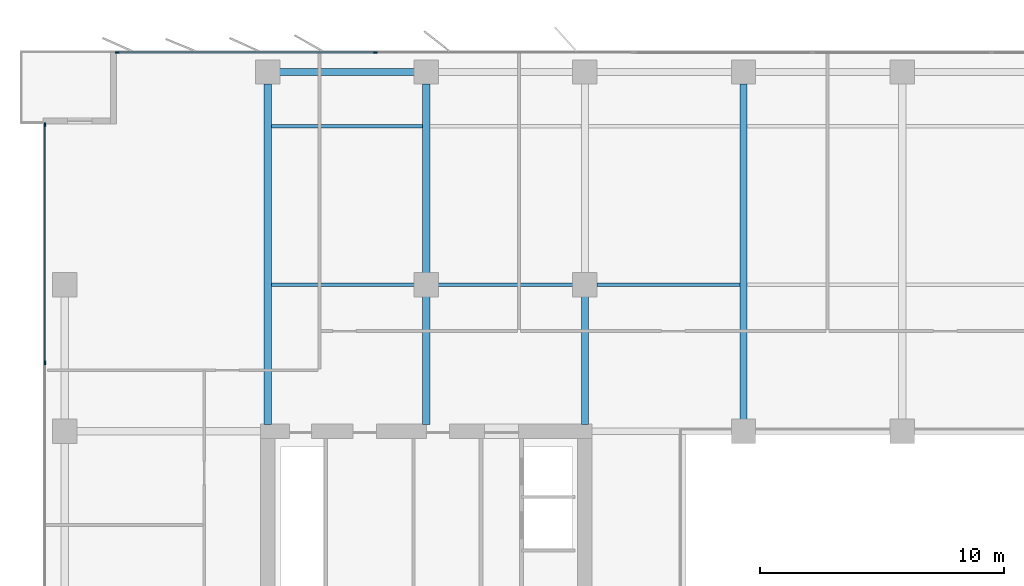
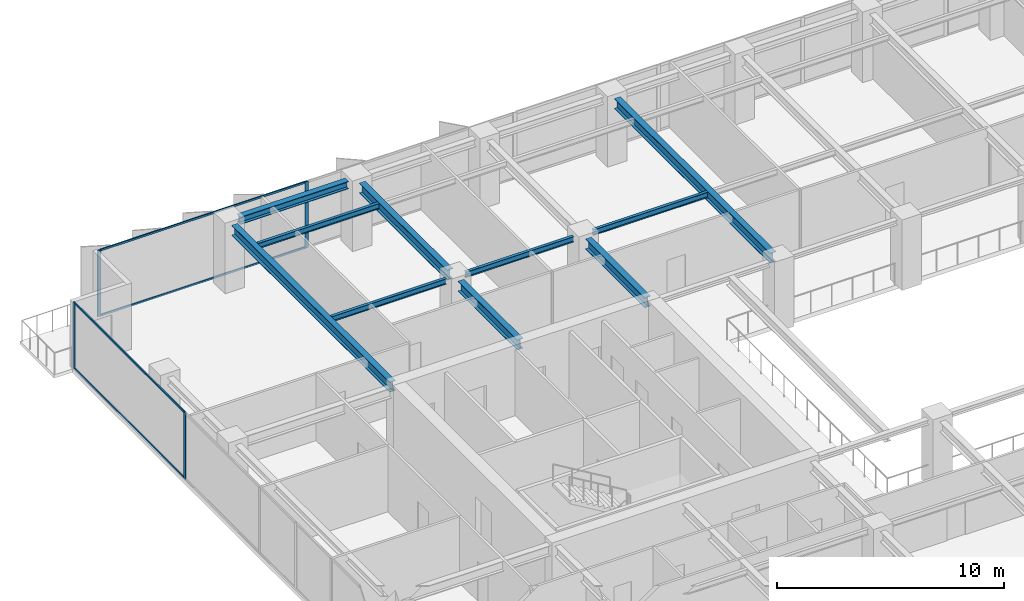
# One storey, part 8 of 22: 10 beams, 8 members, 2 elements without a shape of their own.
"""IFC4 building model written with IfcOpenShell, lengths in metres."""

from ifc_helpers import new_model, si_unit, direction, frame, origin, origin_2d, place, context, subcontext, project, spatial, rectangle, i_section, extrude, material, layer, layer_set, material_profile, profile_set, type_object, element, aggregate, save


model = new_model("IFC4")

# Units and contexts
model_context = context("Model", 3, precision=1e-05, world=origin(), true_north=direction((0.0, 1.0)))
body_context = subcontext(model_context, "Body", "Model", "MODEL_VIEW")
ifc_project = project(units=[si_unit("LENGTHUNIT", "METRE"), si_unit("AREAUNIT", "SQUARE_METRE"), si_unit("VOLUMEUNIT", "CUBIC_METRE"), si_unit("PLANEANGLEUNIT", "RADIAN"), si_unit("MASSUNIT", "GRAM", prefix="KILO")], contexts=[model_context])

# Site, building, storey
site_placement = place(None, origin())
site = spatial("IfcSite", under=ifc_project, at=site_placement, CompositionType="ELEMENT")
building_placement = place(site_placement, origin())
building = spatial("IfcBuilding", under=site, at=building_placement, Name="Putna Gate Headquarters", CompositionType="ELEMENT")
storey_placement = place(building_placement, frame((0.0, 0.0, 151.800048828125)))
storey = spatial("IfcBuildingStorey", under=building, at=storey_placement, Name="L37", CompositionType="ELEMENT", Elevation=151.800048828125)

# Beams
ifc_material_1 = material(Name="Steel S355J2", Category="steel")
ifc_material_profile_1 = material_profile(ifc_material_1, i_section(OverallWidth=0.300048828125, OverallDepth=0.550048828125, WebThickness=0.014892578125, FlangeThickness=0.029052734375, at=origin_2d()), Name="Steel S355J2")
ifc_profile_set_1 = profile_set([ifc_material_profile_1], Name="Steel S355J2")
beam_type_1 = type_object("IfcBeamType", Name="BM-GIRD-Z3-HEB550", PredefinedType="USERDEFINED", material=ifc_profile_set_1)
beam_1_placement = place(storey_placement, frame((13.0, 33.284912109375, 3.296875), z_axis=(0.0, 1.0, 0.0), x_axis=(-1.0, 0.0, 0.0)))
element("IfcBeam", 1, at=beam_1_placement, inside=storey, type_object=beam_type_1, Name="L37 North Primary Girder X13", ObjectType="GIRDER", PredefinedType="USERDEFINED", context=body_context, shape_type="SweptSolid", body=[
    extrude(i_section(OverallWidth=0.300048828125, OverallDepth=0.550048828125, WebThickness=0.014892578125, FlangeThickness=0.029052734375, at=origin_2d()), origin(), (0.0, 0.0, 1.0), 13.947021484375),
])
beam_2_placement = place(storey_placement, frame((19.5, 33.284912109375, 3.296875), z_axis=(0.0, 1.0, 0.0), x_axis=(-1.0, 0.0, 0.0)))
element("IfcBeam", 2, at=beam_2_placement, inside=storey, type_object=beam_type_1, Name="L37 North Primary Girder X19-1", ObjectType="GIRDER", PredefinedType="USERDEFINED", context=body_context, shape_type="SweptSolid", body=[
    extrude(i_section(OverallWidth=0.300048828125, OverallDepth=0.550048828125, WebThickness=0.014892578125, FlangeThickness=0.029052734375, at=origin_2d()), origin(), (0.0, 0.0, 1.0), 5.22705078125),
])
beam_3_placement = place(storey_placement, frame((19.5, 39.488037109375, 3.296875), z_axis=(0.0, 1.0, 0.0), x_axis=(-1.0, 0.0, 0.0)))
element("IfcBeam", 3, at=beam_3_placement, inside=storey, type_object=beam_type_1, Name="L37 North Primary Girder X19-2", ObjectType="GIRDER", PredefinedType="USERDEFINED", context=body_context, shape_type="SweptSolid", body=[
    extrude(i_section(OverallWidth=0.300048828125, OverallDepth=0.550048828125, WebThickness=0.014892578125, FlangeThickness=0.029052734375, at=origin_2d()), origin(), (0.0, 0.0, 1.0), 7.743896484375),
])
beam_4_placement = place(storey_placement, frame((26.0, 33.284912109375, 3.296875), z_axis=(0.0, 1.0, 0.0), x_axis=(-1.0, 0.0, 0.0)))
element("IfcBeam", 4, at=beam_4_placement, inside=storey, type_object=beam_type_1, Name="L37 North Primary Girder X26-1", ObjectType="GIRDER", PredefinedType="USERDEFINED", context=body_context, shape_type="SweptSolid", body=[
    extrude(i_section(OverallWidth=0.300048828125, OverallDepth=0.550048828125, WebThickness=0.014892578125, FlangeThickness=0.029052734375, at=origin_2d()), origin(), (0.0, 0.0, 1.0), 5.22705078125),
])
beam_5_placement = place(storey_placement, frame((32.5, 33.488037109375, 3.296875), z_axis=(0.0, 1.0, 0.0), x_axis=(-1.0, 0.0, 0.0)))
element("IfcBeam", 5, at=beam_5_placement, inside=storey, type_object=beam_type_1, Name="L37 North Primary Girder X32", ObjectType="GIRDER", PredefinedType="USERDEFINED", context=body_context, shape_type="SweptSolid", body=[
    extrude(i_section(OverallWidth=0.300048828125, OverallDepth=0.550048828125, WebThickness=0.014892578125, FlangeThickness=0.029052734375, at=origin_2d()), origin(), (0.0, 0.0, 1.0), 13.743896484375),
])
ifc_material_profile_2 = material_profile(ifc_material_1, i_section(OverallWidth=0.14990234375, OverallDepth=0.300048828125, WebThickness=0.007080078125, FlangeThickness=0.0107421875, at=origin_2d()), Name="Steel S355J2")
ifc_profile_set_2 = profile_set([ifc_material_profile_2], Name="Steel S355J2")
beam_type_2 = type_object("IfcBeamType", Name="BM-SEC-Z3-IPE300", PredefinedType="JOIST", material=ifc_profile_set_2)
beam_6_placement = place(storey_placement, frame((13.154052734375, 39.0, 3.421875), z_axis=(1.0, 0.0, 0.0), x_axis=(0.0, 1.0, 0.0)))
element("IfcBeam", 6, at=beam_6_placement, inside=storey, type_object=beam_type_2, Name="L37 North Secondary Beam 1", PredefinedType="JOIST", context=body_context, shape_type="SweptSolid", body=[
    extrude(i_section(OverallWidth=0.14990234375, OverallDepth=0.300048828125, WebThickness=0.007080078125, FlangeThickness=0.0107421875, at=origin_2d()), origin(), (0.0, 0.0, 1.0), 5.85791015625),
])
beam_7_placement = place(storey_placement, frame((13.154052734375, 45.5, 3.421875), z_axis=(1.0, 0.0, 0.0), x_axis=(0.0, 1.0, 0.0)))
element("IfcBeam", 7, at=beam_7_placement, inside=storey, type_object=beam_type_2, Name="L37 North Secondary Beam 1", PredefinedType="JOIST", context=body_context, shape_type="SweptSolid", body=[
    extrude(i_section(OverallWidth=0.14990234375, OverallDepth=0.300048828125, WebThickness=0.007080078125, FlangeThickness=0.0107421875, at=origin_2d()), origin(), (0.0, 0.0, 1.0), 6.19189453125),
])
beam_8_placement = place(storey_placement, frame((19.988037109375, 39.0, 3.421875), z_axis=(1.0, 0.0, 0.0), x_axis=(0.0, 1.0, 0.0)))
element("IfcBeam", 8, at=beam_8_placement, inside=storey, type_object=beam_type_2, Name="L37 North Secondary Beam 2", PredefinedType="JOIST", context=body_context, shape_type="SweptSolid", body=[
    extrude(i_section(OverallWidth=0.14990234375, OverallDepth=0.300048828125, WebThickness=0.007080078125, FlangeThickness=0.0107421875, at=origin_2d()), origin(), (0.0, 0.0, 1.0), 5.52392578125),
])
beam_9_placement = place(storey_placement, frame((26.488037109375, 39.0, 3.421875), z_axis=(1.0, 0.0, 0.0), x_axis=(0.0, 1.0, 0.0)))
element("IfcBeam", 9, at=beam_9_placement, inside=storey, type_object=beam_type_2, Name="L37 North Secondary Beam 3", PredefinedType="JOIST", context=body_context, shape_type="SweptSolid", body=[
    extrude(i_section(OverallWidth=0.14990234375, OverallDepth=0.300048828125, WebThickness=0.007080078125, FlangeThickness=0.0107421875, at=origin_2d()), origin(), (0.0, 0.0, 1.0), 5.85791015625),
])
ifc_material_profile_3 = material_profile(ifc_material_1, i_section(OverallWidth=0.300048828125, OverallDepth=0.39990234375, WebThickness=0.013427734375, FlangeThickness=0.02392578125, at=origin_2d()), Name="Steel S355J2")
ifc_profile_set_3 = profile_set([ifc_material_profile_3], Name="Steel S355J2")
beam_type_3 = type_object("IfcBeamType", Name="BM-SPAN-Z3-HEB400", PredefinedType="SPANDREL", material=ifc_profile_set_3)
beam_10_placement = place(storey_placement, frame((13.488037109375, 47.719970703125, 3.3720703125), z_axis=(1.0, 0.0, 0.0), x_axis=(0.0, 1.0, 0.0)))
element("IfcBeam", 10, at=beam_10_placement, inside=storey, type_object=beam_type_3, Name="L37 N Perimeter Spandrel 1", PredefinedType="SPANDREL", context=body_context, shape_type="SweptSolid", body=[
    extrude(i_section(OverallWidth=0.300048828125, OverallDepth=0.39990234375, WebThickness=0.013427734375, FlangeThickness=0.02392578125, at=origin_2d()), origin(), (0.0, 0.0, 1.0), 5.52392578125),
])

# Curtain wall, members
ifc_material_2 = material(Name="Anodised bronze aluminium curtain wall", Category="aluminium")
ifc_layer = layer(ifc_material_2, 0.159912109375)
ifc_layer_set = layer_set([ifc_layer], Name="Anodised bronze aluminium curtain wall")
curtain_wall_type = type_object("IfcCurtainWallType", Name="CW-SYS-Z3", PredefinedType="USERDEFINED", material=ifc_layer_set)
curtain_wall_1_placement = place(storey_placement, origin())
curtain_wall_1 = element("IfcCurtainWall", 11, at=curtain_wall_1_placement, inside=storey, type_object=curtain_wall_type, Name="L37 North West Curtain Wall", ObjectType="STICK CURTAIN WALL", PredefinedType="USERDEFINED")
ifc_material_3 = material(Name="Anodised bronze aluminium EN AW-6060", Category="aluminium")
ifc_material_profile_4 = material_profile(ifc_material_3, rectangle(XDim=0.06494140625, YDim=0.159912109375, at=origin_2d()), Name="Anodised bronze aluminium EN AW-6060")
ifc_profile_set_4 = profile_set([ifc_material_profile_4], Name="Anodised bronze aluminium EN AW-6060")
member_type_1 = type_object("IfcMemberType", Name="MULL-CWM-3", PredefinedType="MULLION", material=ifc_profile_set_4)
member_1_placement = place(storey_placement, frame((6.83251953125, 48.52001953125, 0.0), z_axis=(0.0, 0.0, 1.0), x_axis=(0.0, 1.0, 0.0)))
member_1 = element("IfcMember", 12, at=member_1_placement, type_object=member_type_1, Name="CWS-3 mullion 1", PredefinedType="MULLION", context=body_context, shape_type="SweptSolid", body=[
    extrude(rectangle(XDim=0.06494140625, YDim=0.159912109375, at=origin_2d()), origin(), (0.0, 0.0, 1.0), 3.572021484375),
])
member_2_placement = place(storey_placement, frame((17.39990234375, 48.52001953125, 0.0), z_axis=(0.0, 0.0, 1.0), x_axis=(0.0, 1.0, 0.0)))
member_2 = element("IfcMember", 13, at=member_2_placement, type_object=member_type_1, Name="CWS-3 mullion 2", PredefinedType="MULLION", context=body_context, shape_type="SweptSolid", body=[
    extrude(rectangle(XDim=0.06494140625, YDim=0.159912109375, at=origin_2d()), origin(), (0.0, 0.0, 1.0), 3.572021484375),
])

curtain_wall_2_placement = place(storey_placement, origin())
curtain_wall_2 = element("IfcCurtainWall", 14, at=curtain_wall_2_placement, inside=storey, type_object=curtain_wall_type, Name="L37 West Curtain Wall", ObjectType="STICK CURTAIN WALL", PredefinedType="USERDEFINED")
member_3_placement = place(storey_placement, frame((3.8798828125, 35.800048828125, 0.0), z_axis=(0.0, 0.0, 1.0), x_axis=(-1.0, 0.0, 0.0)))
member_3 = element("IfcMember", 15, at=member_3_placement, type_object=member_type_1, Name="CWS-3 mullion 4", PredefinedType="MULLION", context=body_context, shape_type="SweptSolid", body=[
    extrude(rectangle(XDim=0.06494140625, YDim=0.159912109375, at=origin_2d()), origin(), (0.0, 0.0, 1.0), 3.572021484375),
])
member_4_placement = place(storey_placement, frame((3.8798828125, 45.5673828125, 0.0), z_axis=(0.0, 0.0, 1.0), x_axis=(-1.0, 0.0, 0.0)))
member_4 = element("IfcMember", 16, at=member_4_placement, type_object=member_type_1, Name="CWS-3 mullion 5", PredefinedType="MULLION", context=body_context, shape_type="SweptSolid", body=[
    extrude(rectangle(XDim=0.06494140625, YDim=0.159912109375, at=origin_2d()), origin(), (0.0, 0.0, 1.0), 3.572021484375),
])

# Member
ifc_material_profile_5 = material_profile(ifc_material_3, rectangle(XDim=0.06005859375, YDim=0.10009765625, at=origin_2d()), Name="Anodised bronze aluminium EN AW-6060")
ifc_profile_set_5 = profile_set([ifc_material_profile_5], Name="Anodised bronze aluminium EN AW-6060")
member_type_2 = type_object("IfcMemberType", Name="TRAN-CWT-3", PredefinedType="USERDEFINED", material=ifc_profile_set_5)
member_5_placement = place(storey_placement, frame((6.864990234375, 48.52001953125, 0.030029296875), z_axis=(1.0, 0.0, 0.0), x_axis=(0.0, 1.0, 0.0)))
member_5 = element("IfcMember", 17, at=member_5_placement, type_object=member_type_2, Name="CWS-3 transom 1.1", ObjectType="TRANSOM", PredefinedType="USERDEFINED", context=body_context, shape_type="SweptSolid", body=[
    extrude(rectangle(XDim=0.06005859375, YDim=0.10009765625, at=origin_2d()), origin(), (0.0, 0.0, 1.0), 10.50244140625),
])

member_6_placement = place(storey_placement, frame((6.864990234375, 48.52001953125, 3.5419921875), z_axis=(1.0, 0.0, 0.0), x_axis=(0.0, 1.0, 0.0)))
member_6 = element("IfcMember", 18, at=member_6_placement, type_object=member_type_2, Name="CWS-3 transom 1.2", ObjectType="TRANSOM", PredefinedType="USERDEFINED", context=body_context, shape_type="SweptSolid", body=[
    extrude(rectangle(XDim=0.06005859375, YDim=0.10009765625, at=origin_2d()), origin(), (0.0, 0.0, 1.0), 10.50244140625),
])

aggregate(curtain_wall_1, [member_1, member_2, member_5, member_6])

member_7_placement = place(storey_placement, frame((3.8798828125, 35.83251953125, 0.030029296875), z_axis=(0.0, 1.0, 0.0), x_axis=(-1.0, 0.0, 0.0)))
member_7 = element("IfcMember", 19, at=member_7_placement, type_object=member_type_2, Name="CWS-3 transom 4.1", ObjectType="TRANSOM", PredefinedType="USERDEFINED", context=body_context, shape_type="SweptSolid", body=[
    extrude(rectangle(XDim=0.06005859375, YDim=0.10009765625, at=origin_2d()), origin(), (0.0, 0.0, 1.0), 9.702392578125),
])

member_8_placement = place(storey_placement, frame((3.8798828125, 35.83251953125, 3.5419921875), z_axis=(0.0, 1.0, 0.0), x_axis=(-1.0, 0.0, 0.0)))
member_8 = element("IfcMember", 20, at=member_8_placement, type_object=member_type_2, Name="CWS-3 transom 4.2", ObjectType="TRANSOM", PredefinedType="USERDEFINED", context=body_context, shape_type="SweptSolid", body=[
    extrude(rectangle(XDim=0.06005859375, YDim=0.10009765625, at=origin_2d()), origin(), (0.0, 0.0, 1.0), 9.702392578125),
])

aggregate(curtain_wall_2, [member_3, member_4, member_7, member_8])

save(model, "model.ifc")
